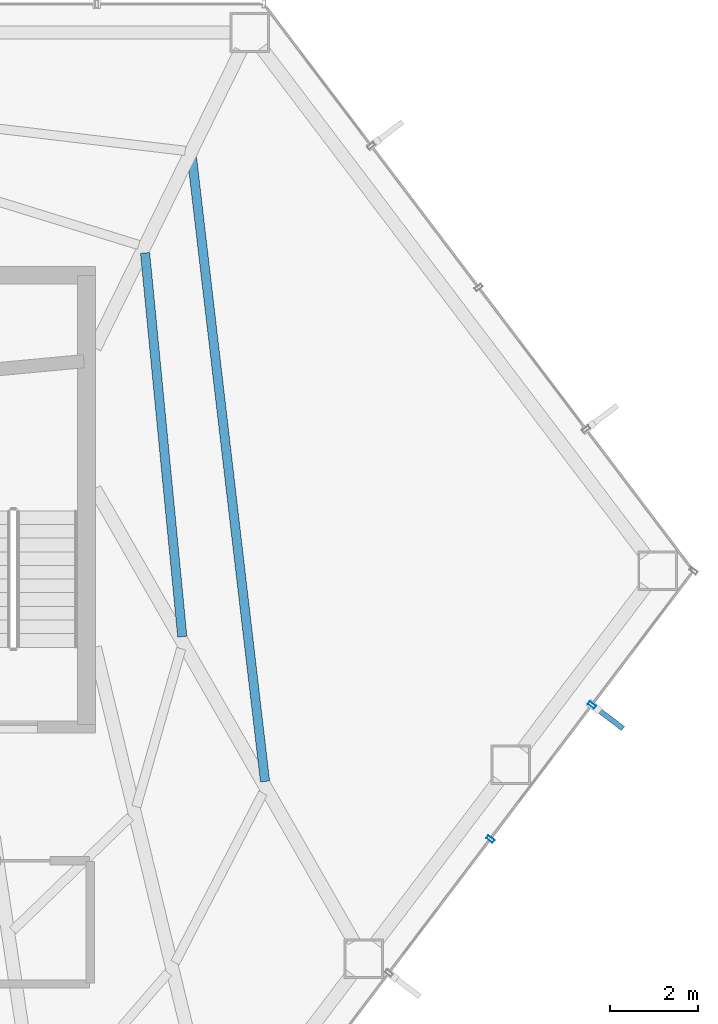
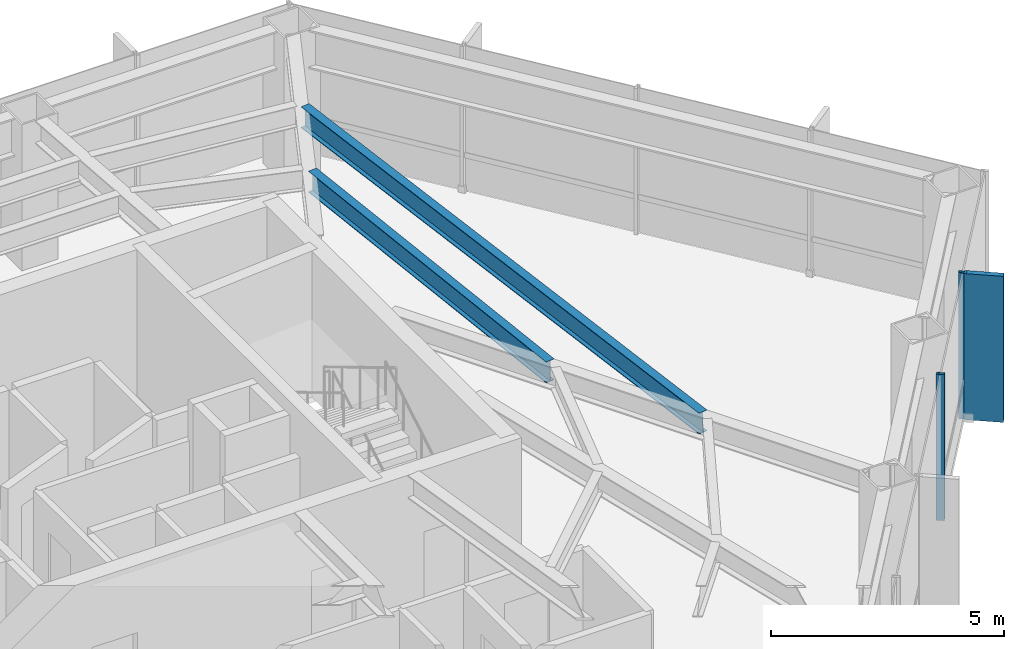
# One storey, part 17 of 25: 3 members, 2 beams, 1 element without a shape of its own.
"""IFC4 building model written with IfcOpenShell, lengths in metres."""

from ifc_helpers import new_model, si_unit, direction, frame, origin, origin_2d, place, context, subcontext, project, spatial, rectangle, hollow_rectangle, i_section, extrude, material, layer, layer_set, material_profile, profile_set, type_object, element, aggregate, save


model = new_model("IFC4")

# Units and contexts
model_context = context("Model", 3, precision=1e-05, world=origin(), true_north=direction((0.0, 1.0)))
body_context = subcontext(model_context, "Body", "Model", "MODEL_VIEW")
ifc_project = project(units=[si_unit("LENGTHUNIT", "METRE"), si_unit("AREAUNIT", "SQUARE_METRE"), si_unit("VOLUMEUNIT", "CUBIC_METRE"), si_unit("PLANEANGLEUNIT", "RADIAN"), si_unit("MASSUNIT", "GRAM", prefix="KILO")], contexts=[model_context])

# Site, building, storey
site_placement = place(None, origin())
site = spatial("IfcSite", under=ifc_project, at=site_placement, CompositionType="ELEMENT")
building_placement = place(site_placement, origin())
building = spatial("IfcBuilding", under=site, at=building_placement, Name="Zarrinselat Tower", CompositionType="ELEMENT")
storey_placement = place(building_placement, frame((0.0, 0.0, 84.659912109375)))
storey = spatial("IfcBuildingStorey", under=building, at=storey_placement, Name="L20", CompositionType="ELEMENT", Elevation=84.659912109375)

# Beams
ifc_material_1 = material(Name="Steel S355J2", Category="steel")
ifc_material_profile_1 = material_profile(ifc_material_1, i_section(OverallWidth=0.2099609375, OverallDepth=0.550048828125, WebThickness=0.010986328125, FlangeThickness=0.01708984375, at=origin_2d()), Name="IPE 550")
ifc_profile_set_1 = profile_set([ifc_material_profile_1], Name="Steel S355J2")
beam_type = type_object("IfcBeamType", Name="BM-IPE550", PredefinedType="JOIST", material=ifc_profile_set_1)
beam_1_placement = place(storey_placement, frame((50.656982421875, 46.123291015625, 3.545166015625), z_axis=(0.116361758988, -0.993206897401, 0.0), x_axis=(0.993206897401, 0.116361758988, 0.0)))
element("IfcBeam", 1, at=beam_1_placement, inside=storey, type_object=beam_type, Name="L20 Composite Floor Joist 5-1", PredefinedType="JOIST", context=body_context, shape_type="SweptSolid", body=[
    extrude(i_section(OverallWidth=0.2099609375, OverallDepth=0.550048828125, WebThickness=0.010986328125, FlangeThickness=0.01708984375, at=origin_2d()), origin(), (0.0, 0.0, 1.0), 14.269287109375),
])
beam_2_placement = place(storey_placement, frame((49.592041015625, 43.95947265625, 3.545166015625), z_axis=(0.096480992485, -0.995334827126, 0.0), x_axis=(0.995334827126, 0.096480992485, 0.0)))
element("IfcBeam", 2, at=beam_2_placement, inside=storey, type_object=beam_type, Name="L20 Composite Floor Joist 5-2", PredefinedType="JOIST", context=body_context, shape_type="SweptSolid", body=[
    extrude(i_section(OverallWidth=0.2099609375, OverallDepth=0.550048828125, WebThickness=0.010986328125, FlangeThickness=0.01708984375, at=origin_2d()), origin(), (0.0, 0.0, 1.0), 8.7578125),
])

# Curtain wall, members
ifc_material_2 = material(Name="Extruded Aluminium Alloy EN AW-6063 T6", Category="aluminium")
ifc_layer = layer(ifc_material_2, 0.18505859375)
ifc_layer_set = layer_set([ifc_layer], Name="Extruded Aluminium Alloy EN AW-6063 T6")
curtain_wall_type = type_object("IfcCurtainWallType", Name="CWS-OFF", PredefinedType="NOTDEFINED", material=ifc_layer_set)
curtain_wall_placement = place(storey_placement, origin())
curtain_wall = element("IfcCurtainWall", 3, at=curtain_wall_placement, inside=storey, type_object=curtain_wall_type, Name="L20 Unitised Curtain Wall CW-L20-E05", PredefinedType="NOTDEFINED")
ifc_material_3 = material(Name="Extruded Aluminium Alloy EN AW-6063 T6", Category="aluminium")
ifc_material_profile_2 = material_profile(ifc_material_3, hollow_rectangle(XDim=0.080078125, YDim=0.179931640625, WallThickness=0.0048828125, at=origin_2d()), Name="RHS 180x80x5")
ifc_profile_set_2 = profile_set([ifc_material_profile_2], Name="Extruded Aluminium Alloy EN AW-6063 T6")
member_type_1 = type_object("IfcMemberType", Name="MEM-CW-MUL", PredefinedType="MULLION", material=ifc_profile_set_2)
member_1_placement = place(storey_placement, frame((57.435302734375, 30.643310546875, 0.0), z_axis=(0.0, 0.0, 1.0), x_axis=(0.603855672579, 0.797093674981, 0.0)))
member_1 = element("IfcMember", 4, at=member_1_placement, type_object=member_type_1, Name="CW-L20-E05 Mullion 4", PredefinedType="MULLION", context=body_context, shape_type="SweptSolid", body=[
    extrude(hollow_rectangle(XDim=0.080078125, YDim=0.179931640625, WallThickness=0.0048828125, at=origin_2d()), origin(), (0.0, 0.0, 1.0), 3.820068359375),
])
member_2_placement = place(storey_placement, frame((59.742919921875, 33.689208984375, 0.0), z_axis=(0.0, 0.0, 1.0), x_axis=(0.603855672579, 0.797093674981, 0.0)))
member_2 = element("IfcMember", 5, at=member_2_placement, type_object=member_type_1, Name="CW-L20-E05 Mullion 5", PredefinedType="MULLION", context=body_context, shape_type="SweptSolid", body=[
    extrude(hollow_rectangle(XDim=0.080078125, YDim=0.179931640625, WallThickness=0.0048828125, at=origin_2d()), origin(), (0.0, 0.0, 1.0), 3.820068359375),
])
ifc_material_4 = material(Name="Honed Cream Travertine Stone", Category="masonry")
ifc_material_profile_3 = material_profile(ifc_material_4, rectangle(XDim=0.1201171875, YDim=0.85009765625, at=origin_2d()), Name="FIN 850x120")
ifc_profile_set_3 = profile_set([ifc_material_profile_3], Name="Honed Cream Travertine Stone")
member_type_2 = type_object("IfcMemberType", Name="MEM-STONE-FIN", PredefinedType="USERDEFINED", material=ifc_profile_set_3)
member_3_placement = place(storey_placement, frame((60.109619140625, 33.41162109375, 0.0), z_axis=(0.0, 0.0, 1.0), x_axis=(-0.603855672579, -0.797093674981, 0.0)))
member_3 = element("IfcMember", 6, at=member_3_placement, type_object=member_type_2, Name="L20 Stone Shading Fin CW-L20-E05-05", ObjectType="FIN", PredefinedType="USERDEFINED", context=body_context, shape_type="SweptSolid", body=[
    extrude(rectangle(XDim=0.1201171875, YDim=0.85009765625, at=origin_2d()), origin(), (0.0, 0.0, 1.0), 3.820068359375),
])
aggregate(curtain_wall, [member_1, member_2, member_3])

save(model, "model.ifc")
